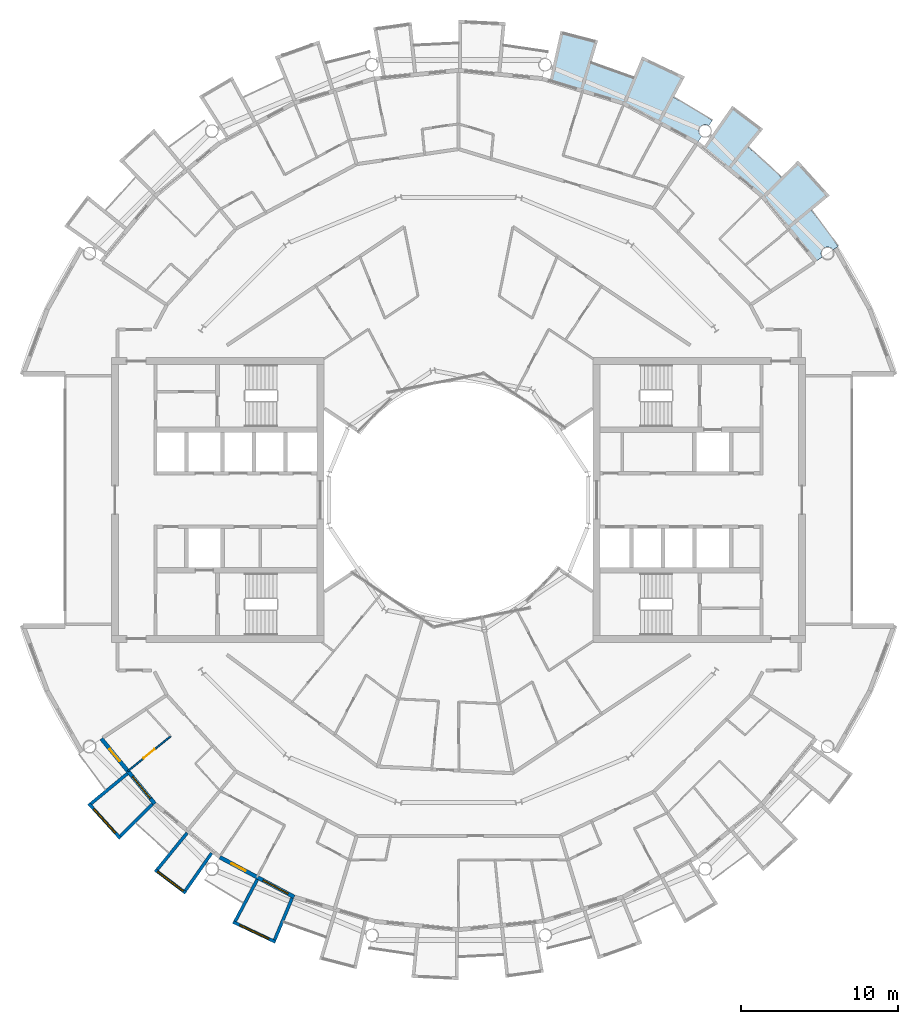
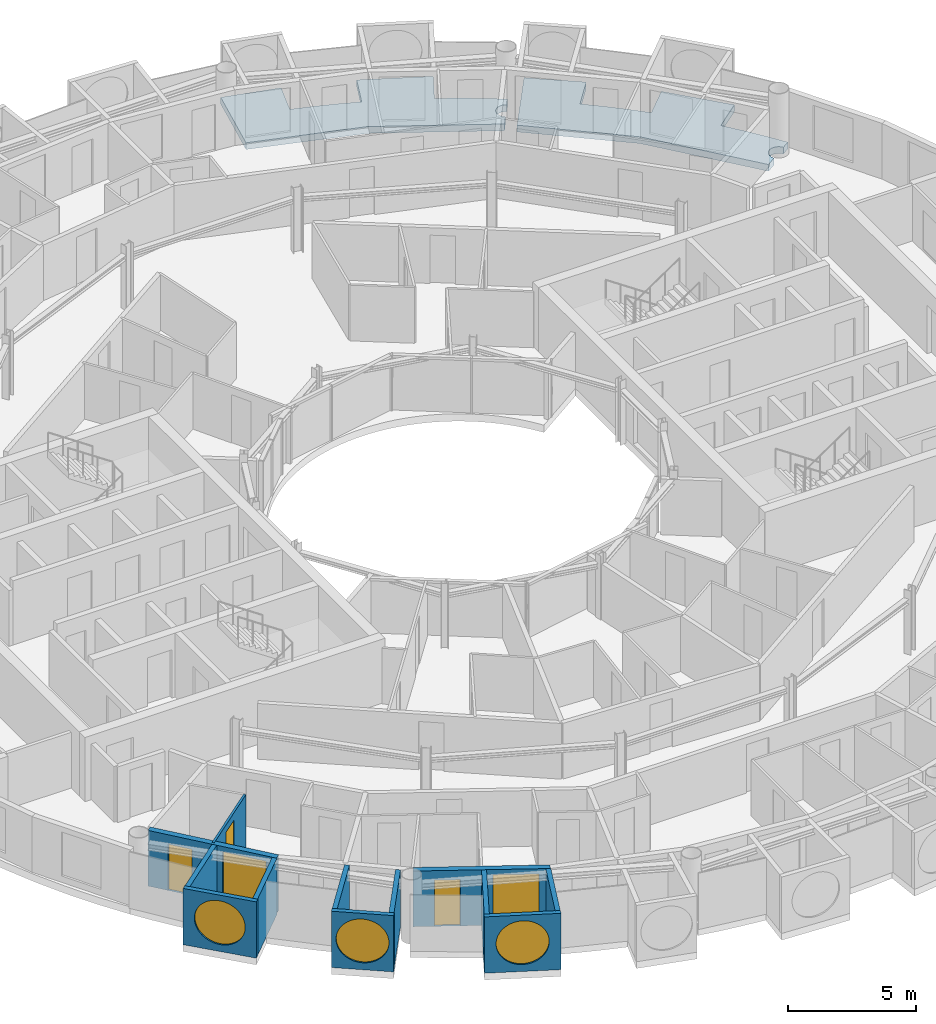
# One storey, part 14 of 28: 12 walls, 5 windows, 3 doors, 2 slabs, 8 openings.
"""IFC4 building model written with IfcOpenShell, lengths in metres."""

from ifc_helpers import new_model, si_unit, direction, frame, frame_2d, origin, place, context, subcontext, project, spatial, polyline, rectangle, circle, outline, extrude, material, layer, layer_set, type_object, element, fill, save


model = new_model("IFC4")

# Units and contexts
model_context = context("Model", 3, precision=1e-05, world=origin(), true_north=direction((0.0, 1.0)))
body_context = subcontext(model_context, "Body", "Model", "MODEL_VIEW")
ifc_project = project(units=[si_unit("LENGTHUNIT", "METRE"), si_unit("AREAUNIT", "SQUARE_METRE"), si_unit("VOLUMEUNIT", "CUBIC_METRE"), si_unit("PLANEANGLEUNIT", "RADIAN"), si_unit("MASSUNIT", "GRAM", prefix="KILO")], contexts=[model_context])

# Site, building, storey
site_placement = place(None, origin())
site = spatial("IfcSite", under=ifc_project, at=site_placement, CompositionType="ELEMENT")
building_placement = place(site_placement, origin())
building = spatial("IfcBuilding", under=site, at=building_placement, Name="Maasbend Ring Residences", CompositionType="ELEMENT")
storey_placement = place(building_placement, frame((0.0, 0.0, 218.800048828125)))
storey = spatial("IfcBuildingStorey", under=building, at=storey_placement, Name="L63", CompositionType="ELEMENT", Elevation=218.800048828125)

# Slabs
ifc_material_1 = material(Name="Concrete C40/50", Category="concrete")
ifc_layer_1 = layer(ifc_material_1, 0.199951171875)
ifc_layer_set_1 = layer_set([ifc_layer_1], Name="Concrete C40/50")
slab_type = type_object("IfcSlabType", Name="SL-LOGGIA", PredefinedType="FLOOR", material=ifc_layer_set_1)
slab_1_placement = place(storey_placement, frame((0.0, 0.0, -0.35009765625)))
element("IfcSlab", 1, at=slab_1_placement, inside=storey, type_object=slab_type, Name="Loggia floor 1", PredefinedType="FLOOR", context=body_context, shape_type="SweptSolid", body=[
    extrude(outline(polyline([(8.85400390625, 29.18701171875), (8.85400390625, 29.18701171875), (8.85400390625, 29.18701171875), (8.41796875, 27.751953125), (8.41796875, 27.751953125), (8.41796875, 27.751953125), (8.41796875, 27.751953125), (8.41796875, 27.751953125), (8.41796875, 27.751953125), (8.41796875, 27.7509765625), (8.41796875, 27.7509765625), (8.41796875, 27.7509765625), (8.41796875, 27.7509765625), (8.41796875, 27.7509765625), (8.4189453125, 27.7509765625), (8.4189453125, 27.7509765625), (8.4189453125, 27.7509765625), (8.4189453125, 27.7509765625), (8.4189453125, 27.7509765625), (8.4189453125, 27.7509765625), (9.322021484375, 27.4609375), (9.322021484375, 27.4609375), (10.215087890625, 27.14111328125), (10.215087890625, 27.14111328125), (11.096923828125, 26.79296875), (11.096923828125, 26.79296875), (11.096923828125, 26.79296875), (11.097900390625, 26.79296875), (11.097900390625, 26.79296875), (11.097900390625, 26.79296875), (11.097900390625, 26.79296875), (11.097900390625, 26.79296875), (11.097900390625, 26.79296875), (11.097900390625, 26.79296875), (11.097900390625, 26.79296875), (11.097900390625, 26.79296875), (11.097900390625, 26.79296875), (11.097900390625, 26.79296875), (11.097900390625, 26.79296875), (11.097900390625, 26.79296875), (11.097900390625, 26.79296875), (11.672119140625, 28.177978515625), (11.672119140625, 28.177978515625), (11.672119140625, 28.177978515625), (14.3779296875, 26.89892578125), (14.3779296875, 26.89892578125), (14.3779296875, 26.89892578125), (13.6708984375, 25.575927734375), (13.6708984375, 25.575927734375), (13.6708984375, 25.575927734375), (13.6708984375, 25.575927734375), (13.6708984375, 25.575927734375), (13.6708984375, 25.575927734375), (13.6708984375, 25.575927734375), (13.6708984375, 25.575927734375), (13.6708984375, 25.575927734375), (13.6708984375, 25.575927734375), (13.6708984375, 25.575927734375), (13.6708984375, 25.575927734375), (13.6708984375, 25.575927734375), (13.6708984375, 25.575927734375), (13.6708984375, 25.575927734375), (13.6708984375, 25.575927734375), (13.6708984375, 25.574951171875), (14.5, 25.114990234375), (14.5, 25.114990234375), (15.31396484375, 24.626953125), (15.31396484375, 24.626953125), (16.112060546875, 24.113037109375), (16.112060546875, 24.113037109375), (16.112060546875, 24.113037109375), (15.89306640625, 23.784912109375), (15.885009765625, 23.791015625), (15.8759765625, 23.7958984375), (15.866943359375, 23.801025390625), (15.85888671875, 23.805908203125), (15.85009765625, 23.81005859375), (15.841064453125, 23.81494140625), (15.83203125, 23.819091796875), (15.822998046875, 23.822998046875), (15.81298828125, 23.826904296875), (15.803955078125, 23.830078125), (15.794921875, 23.8330078125), (15.784912109375, 23.8359375), (15.77587890625, 23.839111328125), (15.76611328125, 23.842041015625), (15.756103515625, 23.843994140625), (15.74609375, 23.845947265625), (15.737060546875, 23.847900390625), (15.72705078125, 23.85009765625), (15.717041015625, 23.85107421875), (15.70703125, 23.85205078125), (15.697021484375, 23.85302734375), (15.68701171875, 23.85302734375), (15.677001953125, 23.85400390625), (15.6669921875, 23.85400390625), (15.656982421875, 23.85400390625), (15.64697265625, 23.85302734375), (15.636962890625, 23.85302734375), (15.626953125, 23.85205078125), (15.616943359375, 23.85107421875), (15.60693359375, 23.85009765625), (15.597900390625, 23.847900390625), (15.587890625, 23.845947265625), (15.577880859375, 23.843994140625), (15.568115234375, 23.842041015625), (15.55908203125, 23.839111328125), (15.549072265625, 23.8359375), (15.5400390625, 23.8330078125), (15.530029296875, 23.830078125), (15.52099609375, 23.826904296875), (15.511962890625, 23.822998046875), (15.501953125, 23.819091796875), (15.492919921875, 23.81494140625), (15.48388671875, 23.81005859375), (15.47509765625, 23.805908203125), (15.467041015625, 23.801025390625), (15.4580078125, 23.7958984375), (15.449951171875, 23.791015625), (15.44091796875, 23.784912109375), (15.43310546875, 23.780029296875), (15.425048828125, 23.77392578125), (15.4169921875, 23.76806640625), (15.408935546875, 23.761962890625), (15.402099609375, 23.7548828125), (15.39404296875, 23.7490234375), (15.386962890625, 23.741943359375), (15.3798828125, 23.735107421875), (15.373046875, 23.72802734375), (15.365966796875, 23.719970703125), (15.35888671875, 23.712890625), (15.35302734375, 23.705078125), (15.346923828125, 23.697021484375), (15.341064453125, 23.68994140625), (15.3349609375, 23.680908203125), (15.3291015625, 23.673095703125), (15.323974609375, 23.6650390625), (15.318115234375, 23.656005859375), (15.31298828125, 23.64794921875), (15.30908203125, 23.638916015625), (15.303955078125, 23.6298828125), (15.300048828125, 23.62109375), (15.294921875, 23.612060546875), (15.2919921875, 23.60302734375), (15.2880859375, 23.593994140625), (15.283935546875, 23.583984375), (15.281005859375, 23.574951171875), (15.278076171875, 23.56494140625), (15.27490234375, 23.555908203125), (15.27294921875, 23.5458984375), (15.27001953125, 23.535888671875), (15.26806640625, 23.527099609375), (15.26708984375, 23.51708984375), (15.264892578125, 23.507080078125), (15.263916015625, 23.4970703125), (15.262939453125, 23.487060546875), (15.261962890625, 23.47705078125), (15.260986328125, 23.467041015625), (15.260986328125, 23.45703125), (15.260986328125, 23.447021484375), (15.260986328125, 23.43701171875), (15.260986328125, 23.427001953125), (15.261962890625, 23.4169921875), (15.262939453125, 23.407958984375), (15.263916015625, 23.39794921875), (15.264892578125, 23.387939453125), (15.26708984375, 23.3779296875), (15.26806640625, 23.367919921875), (15.27001953125, 23.35791015625), (15.27294921875, 23.34912109375), (15.27490234375, 23.339111328125), (15.278076171875, 23.3291015625), (15.281005859375, 23.320068359375), (15.283935546875, 23.31005859375), (15.2880859375, 23.301025390625), (15.2919921875, 23.2919921875), (15.294921875, 23.282958984375), (15.300048828125, 23.27392578125), (15.303955078125, 23.264892578125), (15.30908203125, 23.256103515625), (15.31298828125, 23.2470703125), (15.318115234375, 23.238037109375), (15.323974609375, 23.22998046875), (15.3291015625, 23.221923828125), (15.3349609375, 23.212890625), (15.341064453125, 23.205078125), (15.346923828125, 23.197021484375), (15.35302734375, 23.18994140625), (15.35888671875, 23.181884765625), (15.365966796875, 23.174072265625), (15.373046875, 23.1669921875), (15.3798828125, 23.159912109375), (15.386962890625, 23.153076171875), (15.39404296875, 23.14599609375), (15.402099609375, 23.139892578125), (15.408935546875, 23.133056640625), (15.4169921875, 23.126953125), (15.425048828125, 23.12109375), (15.43310546875, 23.114990234375), (15.44091796875, 23.10888671875), (15.1669921875, 22.698974609375), (15.1669921875, 22.698974609375), (15.1669921875, 22.698974609375), (12.806884765625, 23.9609375), (10.447021484375, 25.221923828125), (10.447021484375, 25.221923828125), (10.447021484375, 25.221923828125), (7.886962890625, 25.9990234375), (5.797119140625, 26.633056640625), (5.797119140625, 26.633056640625), (5.797119140625, 26.633056640625), (6.487060546875, 29.802001953125), (6.487060546875, 29.802001953125), (6.487060546875, 29.802001953125), (8.85400390625, 29.18701171875)])), origin(), (0.0, 0.0, 1.0), 0.320068359375),
])
slab_2_placement = place(storey_placement, frame((0.0, 0.0, -0.35009765625)))
element("IfcSlab", 2, at=slab_2_placement, inside=storey, type_object=slab_type, Name="Loggia floor 4", PredefinedType="FLOOR", context=body_context, shape_type="SweptSolid", body=[
    extrude(outline(polyline([(19.34912109375, 23.576904296875), (19.34912109375, 23.576904296875), (19.34912109375, 23.576904296875), (18.39794921875, 22.41796875), (18.39794921875, 22.41796875), (18.39794921875, 22.41796875), (18.39794921875, 22.41796875), (18.39794921875, 22.41796875), (18.39794921875, 22.4169921875), (18.39794921875, 22.4169921875), (18.39794921875, 22.4169921875), (18.39794921875, 22.4169921875), (18.39794921875, 22.4169921875), (18.39794921875, 22.4169921875), (18.39794921875, 22.4169921875), (18.39794921875, 22.4169921875), (18.39794921875, 22.4169921875), (18.39794921875, 22.4169921875), (18.39794921875, 22.4169921875), (18.39794921875, 22.4169921875), (19.12109375, 21.802978515625), (19.12109375, 21.802978515625), (19.823974609375, 21.166015625), (19.823974609375, 21.166015625), (20.506103515625, 20.506103515625), (20.506103515625, 20.506103515625), (20.506103515625, 20.506103515625), (20.506103515625, 20.506103515625), (20.506103515625, 20.506103515625), (20.506103515625, 20.506103515625), (20.506103515625, 20.506103515625), (20.506103515625, 20.506103515625), (20.506103515625, 20.506103515625), (20.506103515625, 20.506103515625), (20.506103515625, 20.506103515625), (20.506103515625, 20.506103515625), (20.506103515625, 20.506103515625), (20.506103515625, 20.506103515625), (20.506103515625, 20.506103515625), (20.506103515625, 20.506103515625), (20.506103515625, 20.506103515625), (21.56689453125, 21.56689453125), (21.56689453125, 21.56689453125), (21.56689453125, 21.56689453125), (23.576904296875, 19.34912109375), (23.576904296875, 19.34912109375), (23.576904296875, 19.34912109375), (22.41796875, 18.39794921875), (22.41796875, 18.39794921875), (22.41796875, 18.39794921875), (22.41796875, 18.39794921875), (22.41796875, 18.39794921875), (22.41796875, 18.39794921875), (22.41796875, 18.39697265625), (22.41796875, 18.39697265625), (22.41796875, 18.39697265625), (22.41796875, 18.39697265625), (22.41796875, 18.39697265625), (22.41796875, 18.39697265625), (22.41796875, 18.39697265625), (22.41796875, 18.39697265625), (22.41796875, 18.39697265625), (22.41796875, 18.39697265625), (22.41796875, 18.39697265625), (23.007080078125, 17.654052734375), (23.007080078125, 17.654052734375), (23.572998046875, 16.89208984375), (23.572998046875, 16.89208984375), (24.113037109375, 16.112060546875), (24.113037109375, 16.112060546875), (24.113037109375, 16.112060546875), (23.784912109375, 15.89306640625), (23.784912109375, 15.89306640625), (23.780029296875, 15.90087890625), (23.77392578125, 15.908935546875), (23.76806640625, 15.9169921875), (23.761962890625, 15.925048828125), (23.7548828125, 15.93310546875), (23.7490234375, 15.93994140625), (23.741943359375, 15.947021484375), (23.735107421875, 15.955078125), (23.72802734375, 15.9619140625), (23.719970703125, 15.968017578125), (23.712890625, 15.97509765625), (23.705078125, 15.98095703125), (23.697021484375, 15.988037109375), (23.68994140625, 15.993896484375), (23.680908203125, 15.9990234375), (23.673095703125, 16.0048828125), (23.6650390625, 16.010986328125), (23.656005859375, 16.01611328125), (23.64794921875, 16.02099609375), (23.638916015625, 16.02587890625), (23.6298828125, 16.030029296875), (23.62109375, 16.034912109375), (23.612060546875, 16.0390625), (23.60302734375, 16.04296875), (23.593994140625, 16.0458984375), (23.583984375, 16.050048828125), (23.574951171875, 16.052978515625), (23.56494140625, 16.055908203125), (23.555908203125, 16.05908203125), (23.5458984375, 16.06103515625), (23.535888671875, 16.06396484375), (23.527099609375, 16.06591796875), (23.51708984375, 16.068115234375), (23.507080078125, 16.069091796875), (23.4970703125, 16.071044921875), (23.487060546875, 16.072021484375), (23.47705078125, 16.072021484375), (23.467041015625, 16.072998046875), (23.45703125, 16.072998046875), (23.447021484375, 16.073974609375), (23.43701171875, 16.072998046875), (23.427001953125, 16.072998046875), (23.4169921875, 16.072021484375), (23.407958984375, 16.072021484375), (23.39794921875, 16.071044921875), (23.387939453125, 16.069091796875), (23.3779296875, 16.068115234375), (23.367919921875, 16.06591796875), (23.35791015625, 16.06396484375), (23.34912109375, 16.06103515625), (23.339111328125, 16.05908203125), (23.3291015625, 16.055908203125), (23.320068359375, 16.052978515625), (23.31005859375, 16.050048828125), (23.301025390625, 16.0458984375), (23.2919921875, 16.04296875), (23.282958984375, 16.0390625), (23.27392578125, 16.034912109375), (23.264892578125, 16.030029296875), (23.256103515625, 16.02587890625), (23.2470703125, 16.02099609375), (23.238037109375, 16.01611328125), (23.22998046875, 16.010986328125), (23.221923828125, 16.0048828125), (23.212890625, 15.9990234375), (23.205078125, 15.993896484375), (23.197021484375, 15.988037109375), (23.18994140625, 15.98095703125), (23.181884765625, 15.97509765625), (23.174072265625, 15.968017578125), (23.1669921875, 15.9619140625), (23.159912109375, 15.955078125), (23.153076171875, 15.947021484375), (23.14599609375, 15.93994140625), (23.139892578125, 15.93310546875), (23.133056640625, 15.925048828125), (23.126953125, 15.9169921875), (23.12109375, 15.908935546875), (23.114990234375, 15.90087890625), (23.10888671875, 15.89306640625), (23.10400390625, 15.885009765625), (23.09912109375, 15.8759765625), (23.093994140625, 15.866943359375), (23.089111328125, 15.85888671875), (23.083984375, 15.85009765625), (23.080078125, 15.841064453125), (23.075927734375, 15.83203125), (23.072021484375, 15.822998046875), (23.068115234375, 15.81298828125), (23.06494140625, 15.803955078125), (23.06103515625, 15.794921875), (23.05810546875, 15.784912109375), (23.055908203125, 15.77587890625), (23.052978515625, 15.76611328125), (23.051025390625, 15.756103515625), (23.049072265625, 15.74609375), (23.047119140625, 15.737060546875), (23.044921875, 15.72705078125), (23.0439453125, 15.717041015625), (23.04296875, 15.70703125), (23.0419921875, 15.697021484375), (23.041015625, 15.68701171875), (23.041015625, 15.677001953125), (23.041015625, 15.6669921875), (23.041015625, 15.656982421875), (23.041015625, 15.64697265625), (23.0419921875, 15.636962890625), (23.04296875, 15.626953125), (23.0439453125, 15.616943359375), (23.044921875, 15.60693359375), (23.047119140625, 15.597900390625), (23.049072265625, 15.587890625), (23.051025390625, 15.577880859375), (23.052978515625, 15.568115234375), (23.055908203125, 15.55908203125), (23.05810546875, 15.549072265625), (23.06103515625, 15.5400390625), (23.06494140625, 15.530029296875), (23.068115234375, 15.52099609375), (23.072021484375, 15.511962890625), (23.075927734375, 15.501953125), (23.080078125, 15.492919921875), (23.083984375, 15.48388671875), (23.089111328125, 15.47509765625), (23.093994140625, 15.467041015625), (23.09912109375, 15.4580078125), (23.10400390625, 15.449951171875), (23.10888671875, 15.44091796875), (23.10888671875, 15.44091796875), (22.698974609375, 15.1669921875), (22.698974609375, 15.1669921875), (22.698974609375, 15.1669921875), (21.001953125, 17.236083984375), (19.303955078125, 19.303955078125), (19.303955078125, 19.303955078125), (19.303955078125, 19.303955078125), (17.236083984375, 21.001953125), (15.547119140625, 22.386962890625), (15.547119140625, 22.386962890625), (15.547119140625, 22.386962890625), (17.39794921875, 25.051025390625), (17.39794921875, 25.051025390625), (17.39794921875, 25.051025390625), (19.34912109375, 23.576904296875)])), origin(), (0.0, 0.0, 1.0), 0.320068359375),
])

# Wall, opening, window
ifc_material_2 = material(Name="Pale anodised aluminium panel", Category="aluminium")
ifc_layer_2 = layer(ifc_material_2, 0.199951171875)
ifc_layer_set_2 = layer_set([ifc_layer_2], Name="EW-BOX")
wall_type_1 = type_object("IfcWallType", Name="EW-BOX", PredefinedType="SOLIDWALL", material=ifc_layer_set_2)
wall_1_placement = place(storey_placement, frame((-23.5029296875, -19.281982421875, -0.030029296875), z_axis=(0.0, 0.0, 1.0), x_axis=(0.671506829416, -0.740998365753, 0.0)))
wall_1 = element("IfcWall", 3, at=wall_1_placement, inside=storey, type_object=wall_type_1, Name="Box front S02", PredefinedType="SOLIDWALL", context=body_context, shape_type="SweptSolid", body=[
    extrude(rectangle(XDim=2.9931640625, YDim=0.199951171875, at=frame_2d((1.49658203125, 0.0))), origin(), (0.0, 0.0, 1.0), 2.679931640625),
])
opening_1_placement = place(wall_1_placement, frame((0.45654296875, 0.0, 0.330078125)))
opening_1 = element("IfcOpeningElement", 4, at=opening_1_placement, cuts=wall_1, Name="Opening W-RD", PredefinedType="OPENING", context=body_context, shape_type="SweptSolid", body=[
    extrude(circle(Radius=1.0400390625, at=frame_2d((1.0400390625, 1.0400390625))), frame((0.0, 0.10986328125, 0.0), z_axis=(0.0, -1.0, 0.0), x_axis=(1.0, 0.0, 0.0)), (0.0, 0.0, 1.0), 0.219970703125),
])
ifc_material_3 = material(Name="Aluminium and clear glass", Category="aluminium")
window_type_1 = type_object("IfcWindowType", Name="W-RD", PartitioningType="SINGLE_PANEL", PredefinedType="WINDOW", material=ifc_material_3)
window_1_placement = place(opening_1_placement, origin())
window_1 = element("IfcWindow", 5, at=window_1_placement, inside=storey, type_object=window_type_1, Name="Round window S02", OverallHeight=2.080078125, OverallWidth=2.080078125, PartitioningType="SINGLE_PANEL", PredefinedType="WINDOW", context=body_context, shape_type="SweptSolid", body=[
    extrude(circle(Radius=1.0400390625, at=frame_2d((1.0400390625, 1.0400390625))), frame((0.0, 0.030029296875, 0.0), z_axis=(0.0, -1.0, 0.0), x_axis=(1.0, 0.0, 0.0)), (0.0, 0.0, 1.0), 0.06005859375),
])
fill(opening_1, window_1)

# Walls
wall_2_placement = place(storey_placement, frame((-21.041015625, -17.384033203125, -0.030029296875), z_axis=(0.0, 0.0, 1.0), x_axis=(-0.770784861449, -0.63709551667, 0.0)))
element("IfcWall", 6, at=wall_2_placement, inside=storey, type_object=wall_type_1, Name="Box side wall S02 left", PredefinedType="SOLIDWALL", context=body_context, shape_type="SweptSolid", body=[
    extrude(rectangle(XDim=3.005859375, YDim=0.199951171875, at=frame_2d((1.5029296875, 0.0))), origin(), (0.0, 0.0, 1.0), 2.679931640625),
])
wall_3_placement = place(storey_placement, frame((-19.449951171875, -19.322998046875, -0.030029296875), z_axis=(0.0, 0.0, 1.0), x_axis=(-0.709727076896, -0.704476739375, 0.0)))
element("IfcWall", 7, at=wall_3_placement, inside=storey, type_object=wall_type_1, Name="Box side wall S02 right", PredefinedType="SOLIDWALL", context=body_context, shape_type="SweptSolid", body=[
    extrude(rectangle(XDim=2.883056640625, YDim=0.199951171875, at=frame_2d((1.44140625, 0.0))), origin(), (0.0, 0.0, 1.0), 2.679931640625),
])

# Wall, opening, window
wall_4_placement = place(storey_placement, frame((-19.2890625, -23.4970703125, -0.030029296875), z_axis=(0.0, 0.0, 1.0), x_axis=(0.797887588059, -0.602806268067, 0.0)))
wall_4 = element("IfcWall", 8, at=wall_4_placement, inside=storey, type_object=wall_type_1, Name="Box front S04", PredefinedType="SOLIDWALL", context=body_context, shape_type="SweptSolid", body=[
    extrude(rectangle(XDim=2.446533203125, YDim=0.199951171875, at=frame_2d((1.22314453125, 0.0))), origin(), (0.0, 0.0, 1.0), 2.679931640625),
])
opening_2_placement = place(wall_4_placement, frame((0.182861328125, 0.0, 0.330078125)))
opening_2 = element("IfcOpeningElement", 9, at=opening_2_placement, cuts=wall_4, Name="Opening W-RD", PredefinedType="OPENING", context=body_context, shape_type="SweptSolid", body=[
    extrude(circle(Radius=1.0400390625, at=frame_2d((1.0400390625, 1.0400390625))), frame((0.0, 0.10986328125, 0.0), z_axis=(0.0, -1.0, 0.0), x_axis=(1.0, 0.0, 0.0)), (0.0, 0.0, 1.0), 0.219970703125),
])
window_2_placement = place(opening_2_placement, origin())
window_2 = element("IfcWindow", 10, at=window_2_placement, inside=storey, type_object=window_type_1, Name="Round window S04", OverallHeight=2.080078125, OverallWidth=2.080078125, PartitioningType="SINGLE_PANEL", PredefinedType="WINDOW", context=body_context, shape_type="SweptSolid", body=[
    extrude(circle(Radius=1.0400390625, at=frame_2d((1.0400390625, 1.0400390625))), frame((0.0, 0.030029296875, 0.0), z_axis=(0.0, -1.0, 0.0), x_axis=(1.0, 0.0, 0.0)), (0.0, 0.0, 1.0), 0.06005859375),
])
fill(opening_2, window_2)

# Walls
wall_5_placement = place(storey_placement, frame((-17.24609375, -21.155029296875, -0.030029296875), z_axis=(0.0, 0.0, 1.0), x_axis=(-0.631741648902, -0.775179004516, 0.0)))
element("IfcWall", 11, at=wall_5_placement, inside=storey, type_object=wall_type_1, Name="Box side wall S04 left", PredefinedType="SOLIDWALL", context=body_context, shape_type="SweptSolid", body=[
    extrude(rectangle(XDim=3.005859375, YDim=0.199951171875, at=frame_2d((1.5029296875, 0.0))), origin(), (0.0, 0.0, 1.0), 2.679931640625),
])
wall_6_placement = place(storey_placement, frame((-15.68798828125, -22.43310546875, -0.030029296875), z_axis=(0.0, 0.0, 1.0), x_axis=(-0.573260687834, -0.819373043115, 0.0)))
element("IfcWall", 12, at=wall_6_placement, inside=storey, type_object=wall_type_1, Name="Box side wall S04 right", PredefinedType="SOLIDWALL", context=body_context, shape_type="SweptSolid", body=[
    extrude(rectangle(XDim=2.92529296875, YDim=0.199951171875, at=frame_2d((1.462646484375, 0.0))), origin(), (0.0, 0.0, 1.0), 2.679931640625),
])

# Wall, opening, window
wall_7_placement = place(storey_placement, frame((-14.3349609375, -26.80810546875, -0.030029296875), z_axis=(0.0, 0.0, 1.0), x_axis=(0.904000060331, -0.427532327342, 0.0)))
wall_7 = element("IfcWall", 13, at=wall_7_placement, inside=storey, type_object=wall_type_1, Name="Box front S06", PredefinedType="SOLIDWALL", context=body_context, shape_type="SweptSolid", body=[
    extrude(rectangle(XDim=2.993408203125, YDim=0.199951171875, at=frame_2d((1.49658203125, 0.0))), origin(), (0.0, 0.0, 1.0), 2.679931640625),
])
opening_3_placement = place(wall_7_placement, frame((0.45654296875, 0.0, 0.330078125)))
opening_3 = element("IfcOpeningElement", 14, at=opening_3_placement, cuts=wall_7, Name="Opening W-RD", PredefinedType="OPENING", context=body_context, shape_type="SweptSolid", body=[
    extrude(circle(Radius=1.0400390625, at=frame_2d((1.0400390625, 1.0400390625))), frame((0.0, 0.10986328125, 0.0), z_axis=(0.0, -1.0, 0.0), x_axis=(1.0, 0.0, 0.0)), (0.0, 0.0, 1.0), 0.219970703125),
])
window_3_placement = place(opening_3_placement, origin())
window_3 = element("IfcWindow", 15, at=window_3_placement, inside=storey, type_object=window_type_1, Name="Round window S06", OverallHeight=2.080078125, OverallWidth=2.080078125, PartitioningType="SINGLE_PANEL", PredefinedType="WINDOW", context=body_context, shape_type="SweptSolid", body=[
    extrude(circle(Radius=1.0400390625, at=frame_2d((1.0400390625, 1.0400390625))), frame((0.0, 0.030029296875, 0.0), z_axis=(0.0, -1.0, 0.0), x_axis=(1.0, 0.0, 0.0)), (0.0, 0.0, 1.0), 0.06005859375),
])
fill(opening_3, window_3)

# Walls
wall_8_placement = place(storey_placement, frame((-12.787109375, -24.113037109375, -0.030029296875), z_axis=(0.0, 0.0, 1.0), x_axis=(-0.468365282436, -0.883534924159, 0.0)))
element("IfcWall", 16, at=wall_8_placement, inside=storey, type_object=wall_type_1, Name="Box side wall S06 left", PredefinedType="SOLIDWALL", context=body_context, shape_type="SweptSolid", body=[
    extrude(rectangle(XDim=3.006103515625, YDim=0.199951171875, at=frame_2d((1.5029296875, 0.0))), origin(), (0.0, 0.0, 1.0), 2.679931640625),
])
wall_9_placement = place(storey_placement, frame((-10.574951171875, -25.294921875, -0.030029296875), z_axis=(0.0, 0.0, 1.0), x_axis=(-0.385697364644, -0.922625353492, 0.0)))
element("IfcWall", 17, at=wall_9_placement, inside=storey, type_object=wall_type_1, Name="Box side wall S06 right", PredefinedType="SOLIDWALL", context=body_context, shape_type="SweptSolid", body=[
    extrude(rectangle(XDim=2.88330078125, YDim=0.199951171875, at=frame_2d((1.441650390625, 0.0))), origin(), (0.0, 0.0, 1.0), 2.679931640625),
])

# Wall, openings, door, window
ifc_material_4 = material(Name="Aluminium clad insulated panel", Category="aluminium")
ifc_layer_3 = layer(ifc_material_4, 0.25)
ifc_layer_set_3 = layer_set([ifc_layer_3], Name="EW-GL")
wall_type_2 = type_object("IfcWallType", Name="EW-GL", PredefinedType="SOLIDWALL", material=ifc_layer_set_3)
wall_10_placement = place(storey_placement, frame((-22.698974609375, -15.1669921875, 0.0), z_axis=(0.0, 0.0, 1.0), x_axis=(0.634382322723, -0.773019449054, 0.0)))
wall_10 = element("IfcWall", 18, at=wall_10_placement, inside=storey, type_object=wall_type_2, Name="External wall S01", PredefinedType="SOLIDWALL", context=body_context, shape_type="SweptSolid", body=[
    extrude(rectangle(XDim=5.351806640625, YDim=0.25, at=frame_2d((2.67578125, 0.0))), origin(), (0.0, 0.0, 1.0), 2.64990234375),
])
opening_4_placement = place(wall_10_placement, frame((0.841064453125, 0.0, 0.0)))
opening_4 = element("IfcOpeningElement", 19, at=opening_4_placement, cuts=wall_10, Name="Opening D-LG", PredefinedType="OPENING", context=body_context, shape_type="SweptSolid", body=[
    extrude(rectangle(XDim=1.0, YDim=2.199951171875, at=frame_2d((0.5, 1.10009765625))), frame((0.0, 0.135009765625, 0.0), z_axis=(0.0, -1.0, 0.0), x_axis=(1.0, 0.0, 0.0)), (0.0, 0.0, 1.0), 0.27001953125),
])
opening_5_placement = place(wall_10_placement, frame((3.110595703125, 0.0, 0.300048828125)))
opening_5 = element("IfcOpeningElement", 20, at=opening_5_placement, cuts=wall_10, Name="Opening W-BX", PredefinedType="OPENING", context=body_context, shape_type="SweptSolid", body=[
    extrude(rectangle(XDim=1.800048828125, YDim=2.10009765625, at=frame_2d((0.89990234375, 1.050048828125))), frame((0.0, 0.135009765625, 0.0), z_axis=(0.0, -1.0, 0.0), x_axis=(1.0, 0.0, 0.0)), (0.0, 0.0, 1.0), 0.27001953125),
])
ifc_material_5 = material(Name="Aluminium and clear glass", Category="aluminium")
door_type_1 = type_object("IfcDoorType", Name="D-LG", OperationType="SINGLE_SWING_LEFT", PredefinedType="DOOR", material=ifc_material_5)
door_1_placement = place(opening_4_placement, origin())
door_1 = element("IfcDoor", 21, at=door_1_placement, inside=storey, type_object=door_type_1, Name="Loggia door S01", OperationType="SINGLE_SWING_LEFT", OverallHeight=2.199951171875, OverallWidth=1.0, PredefinedType="DOOR", context=body_context, shape_type="SweptSolid", body=[
    extrude(rectangle(XDim=1.0, YDim=2.199951171875, at=frame_2d((0.5, 1.10009765625))), frame((0.0, 0.02490234375, 0.0), z_axis=(0.0, -1.0, 0.0), x_axis=(1.0, 0.0, 0.0)), (0.0, 0.0, 1.0), 0.050048828125),
])
fill(opening_4, door_1)
ifc_material_6 = material(Name="Aluminium and clear glass", Category="aluminium")
window_type_2 = type_object("IfcWindowType", Name="W-BX", PartitioningType="DOUBLE_PANEL_VERTICAL", PredefinedType="WINDOW", material=ifc_material_6)
window_4_placement = place(opening_5_placement, origin())
window_4 = element("IfcWindow", 22, at=window_4_placement, inside=storey, type_object=window_type_2, Name="Window S02 room to box", OverallHeight=2.10009765625, OverallWidth=1.800048828125, PartitioningType="SINGLE_PANEL", PredefinedType="WINDOW", context=body_context, shape_type="SweptSolid", body=[
    extrude(rectangle(XDim=1.800048828125, YDim=2.10009765625, at=frame_2d((0.89990234375, 1.050048828125))), frame((0.0, 0.030029296875, 0.0), z_axis=(0.0, -1.0, 0.0), x_axis=(1.0, 0.0, 0.0)), (0.0, 0.0, 1.0), 0.06005859375),
])
fill(opening_5, window_4)

wall_11_placement = place(storey_placement, frame((-15.1669921875, -22.698974609375, 0.0), z_axis=(0.0, 0.0, 1.0), x_axis=(0.881915646801, -0.471407246368, 0.0)))
wall_11 = element("IfcWall", 23, at=wall_11_placement, inside=storey, type_object=wall_type_2, Name="External wall S03", PredefinedType="SOLIDWALL", context=body_context, shape_type="SweptSolid", body=[
    extrude(rectangle(XDim=5.35205078125, YDim=0.25, at=frame_2d((2.676025390625, 0.0))), origin(), (0.0, 0.0, 1.0), 2.64990234375),
])
opening_6_placement = place(wall_11_placement, frame((0.841064453125, 0.0, 0.0)))
opening_6 = element("IfcOpeningElement", 24, at=opening_6_placement, cuts=wall_11, Name="Opening D-LG", PredefinedType="OPENING", context=body_context, shape_type="SweptSolid", body=[
    extrude(rectangle(XDim=1.0, YDim=2.199951171875, at=frame_2d((0.5, 1.10009765625))), frame((0.0, 0.135009765625, 0.0), z_axis=(0.0, -1.0, 0.0), x_axis=(1.0, 0.0, 0.0)), (0.0, 0.0, 1.0), 0.27001953125),
])
opening_7_placement = place(wall_11_placement, frame((3.110595703125, 0.0, 0.300048828125)))
opening_7 = element("IfcOpeningElement", 25, at=opening_7_placement, cuts=wall_11, Name="Opening W-BX", PredefinedType="OPENING", context=body_context, shape_type="SweptSolid", body=[
    extrude(rectangle(XDim=1.800048828125, YDim=2.10009765625, at=frame_2d((0.89990234375, 1.050048828125))), frame((0.0, 0.135009765625, 0.0), z_axis=(0.0, -1.0, 0.0), x_axis=(1.0, 0.0, 0.0)), (0.0, 0.0, 1.0), 0.27001953125),
])
door_2_placement = place(opening_6_placement, origin())
door_2 = element("IfcDoor", 26, at=door_2_placement, inside=storey, type_object=door_type_1, Name="Loggia door S05", OperationType="SINGLE_SWING_LEFT", OverallHeight=2.199951171875, OverallWidth=1.0, PredefinedType="DOOR", context=body_context, shape_type="SweptSolid", body=[
    extrude(rectangle(XDim=1.0, YDim=2.199951171875, at=frame_2d((0.5, 1.10009765625))), frame((0.0, 0.02490234375, 0.0), z_axis=(0.0, -1.0, 0.0), x_axis=(1.0, 0.0, 0.0)), (0.0, 0.0, 1.0), 0.050048828125),
])
fill(opening_6, door_2)
window_5_placement = place(opening_7_placement, origin())
window_5 = element("IfcWindow", 27, at=window_5_placement, inside=storey, type_object=window_type_2, Name="Window S06 room to box", OverallHeight=2.10009765625, OverallWidth=1.800048828125, PartitioningType="SINGLE_PANEL", PredefinedType="WINDOW", context=body_context, shape_type="SweptSolid", body=[
    extrude(rectangle(XDim=1.800048828125, YDim=2.10009765625, at=frame_2d((0.89990234375, 1.050048828125))), frame((0.0, 0.030029296875, 0.0), z_axis=(0.0, -1.0, 0.0), x_axis=(1.0, 0.0, 0.0)), (0.0, 0.0, 1.0), 0.06005859375),
])
fill(opening_7, window_5)

# Wall, opening, door
ifc_material_7 = material(Name="Gypsum board on steel studs", Category="steel")
ifc_layer_4 = layer(ifc_material_7, 0.10009765625)
ifc_layer_set_4 = layer_set([ifc_layer_4], Name="PARTITION 100 GYPSUM")
wall_type_3 = type_object("IfcWallType", Name="PARTITION 100 GYPSUM", PredefinedType="PARTITIONING", material=ifc_layer_set_4)
wall_12_placement = place(storey_placement, frame((-21.011962890625, -17.23291015625, 0.0), z_axis=(0.0, 0.0, 1.0), x_axis=(0.773165322764, 0.634204528267, 0.0)))
wall_12 = element("IfcWall", 28, at=wall_12_placement, inside=storey, type_object=wall_type_3, Name="U-L63-w036", PredefinedType="PARTITIONING", context=body_context, shape_type="SweptSolid", body=[
    extrude(rectangle(XDim=3.505126953125, YDim=0.10009765625, at=frame_2d((1.75244140625, 0.0))), origin(), (0.0, 0.0, 1.0), 2.64990234375),
])
opening_8_placement = place(wall_12_placement, frame((1.302978515625, 0.0, 0.0)))
opening_8 = element("IfcOpeningElement", 29, at=opening_8_placement, cuts=wall_12, Name="Opening D-6330", PredefinedType="OPENING", context=body_context, shape_type="SweptSolid", body=[
    extrude(rectangle(XDim=0.89990234375, YDim=2.300048828125, at=frame_2d((0.449951171875, 1.14990234375))), frame((0.0, 0.06005859375, 0.0), z_axis=(0.0, -1.0, 0.0), x_axis=(1.0, 0.0, 0.0)), (0.0, 0.0, 1.0), 0.1201171875),
])
ifc_material_8 = material(Name="Timber, painted", Category="wood")
door_type_2 = type_object("IfcDoorType", Name="INTERNAL DOOR 900 X 2300", OperationType="NOTDEFINED", PredefinedType="DOOR", material=ifc_material_8)
door_3_placement = place(opening_8_placement, origin())
door_3 = element("IfcDoor", 30, at=door_3_placement, inside=storey, type_object=door_type_2, Name="D-6330", OperationType="SINGLE_SWING_LEFT", OverallHeight=2.300048828125, OverallWidth=0.89990234375, PredefinedType="DOOR", context=body_context, shape_type="SweptSolid", body=[
    extrude(rectangle(XDim=0.89990234375, YDim=2.300048828125, at=frame_2d((0.449951171875, 1.14990234375))), frame((0.0, 0.02490234375, 0.0), z_axis=(0.0, -1.0, 0.0), x_axis=(1.0, 0.0, 0.0)), (0.0, 0.0, 1.0), 0.050048828125),
])
fill(opening_8, door_3)

save(model, "model.ifc")
